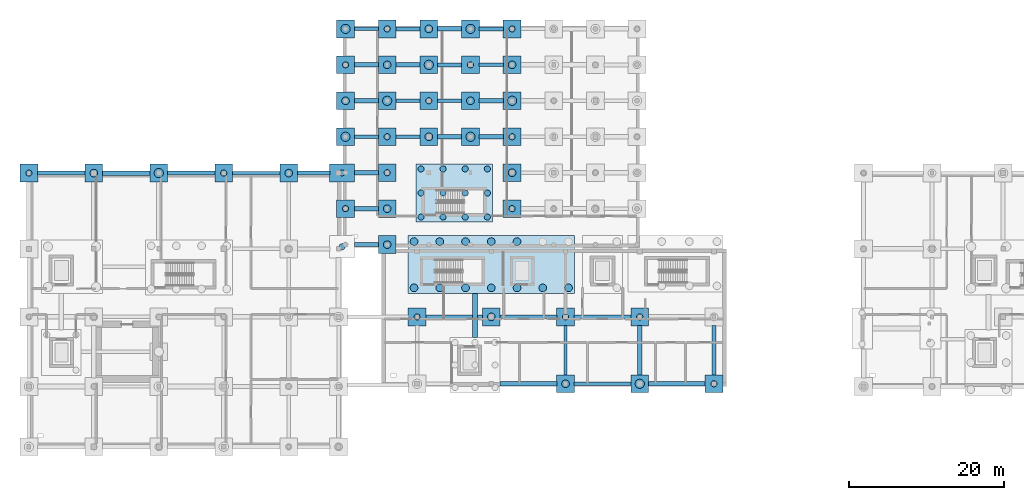
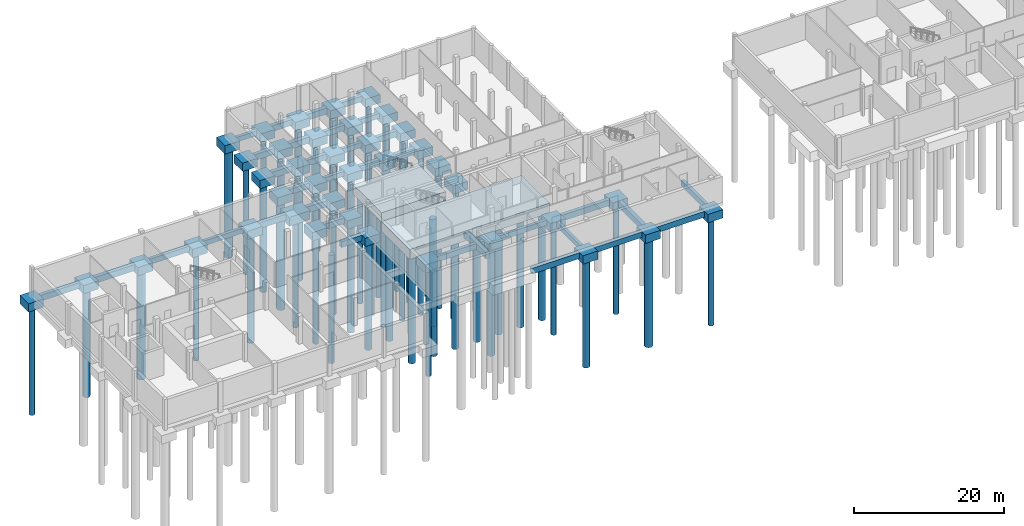
# One storey, part 2 of 14: 75 footings, 64 piles.
"""IFC4 building model written with IfcOpenShell, lengths in metres."""

from ifc_helpers import new_model, si_unit, direction, frame, origin, origin_2d, place, context, subcontext, project, spatial, rectangle, circle, extrude, material, material_profile, profile_set, type_object, element, save


model = new_model("IFC4")

# Units and contexts
model_context = context("Model", 3, precision=1e-05, world=origin(), true_north=direction((0.0, 1.0)))
body_context = subcontext(model_context, "Body", "Model", "MODEL_VIEW")
ifc_project = project(units=[si_unit("LENGTHUNIT", "METRE"), si_unit("AREAUNIT", "SQUARE_METRE"), si_unit("VOLUMEUNIT", "CUBIC_METRE"), si_unit("PLANEANGLEUNIT", "RADIAN"), si_unit("MASSUNIT", "GRAM", prefix="KILO")], contexts=[model_context])

# Site, building, storey
site_placement = place(None, origin())
site = spatial("IfcSite", under=ifc_project, at=site_placement, CompositionType="ELEMENT")
building_placement = place(site_placement, origin())
building = spatial("IfcBuilding", under=site, at=building_placement, Name="Birchvale Park Specialist Clinic", CompositionType="ELEMENT")
storey_placement = place(building_placement, frame((0.0, 0.0, -4.5)))
storey = spatial("IfcBuildingStorey", under=building, at=storey_placement, Name="B1", CompositionType="ELEMENT", Elevation=-4.5)

# Footings
ifc_material = material(Name="Concrete C40/50", Category="concrete")
footing_type_1 = type_object("IfcFootingType", Name="FTB-1", PredefinedType="FOOTING_BEAM", material=ifc_material)
footing_1_placement = place(storey_placement, frame((85.39990234375, 17.14990234375, -1.449951171875), z_axis=(0.0, 0.0, 1.0), x_axis=(1.0, 0.0, 0.0)))
element("IfcFooting", 1, at=footing_1_placement, inside=storey, type_object=footing_type_1, Name="B1 foundation tie beam 37", PredefinedType="FOOTING_BEAM", context=body_context, shape_type="SweptSolid", body=[
    extrude(rectangle(XDim=7.340087890625, YDim=0.5, at=origin_2d()), origin(), (0.0, 0.0, 1.0), 0.89990234375),
])
footing_2_placement = place(storey_placement, frame((99.800048828125, 21.47509765625, -1.449951171875), z_axis=(0.0, 0.0, 1.0), x_axis=(1.0, 0.0, 0.0)))
element("IfcFooting", 2, at=footing_2_placement, inside=storey, type_object=footing_type_1, Name="B1 foundation tie beam 41", PredefinedType="FOOTING_BEAM", context=body_context, shape_type="SweptSolid", body=[
    extrude(rectangle(XDim=0.5, YDim=6.389892578125, at=origin_2d()), origin(), (0.0, 0.0, 1.0), 0.89990234375),
])
footing_3_placement = place(storey_placement, frame((66.199951171875, 25.800048828125, -1.449951171875), z_axis=(0.0, 0.0, 1.0), x_axis=(1.0, 0.0, 0.0)))
element("IfcFooting", 3, at=footing_3_placement, inside=storey, type_object=footing_type_1, Name="B1 foundation tie beam 57", PredefinedType="FOOTING_BEAM", context=body_context, shape_type="SweptSolid", body=[
    extrude(rectangle(XDim=7.340087890625, YDim=0.5, at=origin_2d()), origin(), (0.0, 0.0, 1.0), 0.89990234375),
])
footing_4_placement = place(storey_placement, frame((32.199951171875, 44.39990234375, -1.449951171875), z_axis=(0.0, 0.0, 1.0), x_axis=(1.0, 0.0, 0.0)))
element("IfcFooting", 4, at=footing_4_placement, inside=storey, type_object=footing_type_1, Name="B1 foundation tie beam 89", PredefinedType="FOOTING_BEAM", context=body_context, shape_type="SweptSolid", body=[
    extrude(rectangle(XDim=6.139892578125, YDim=0.5, at=origin_2d()), origin(), (0.0, 0.0, 1.0), 0.89990234375),
])
footing_5_placement = place(storey_placement, frame((54.843017578125, 49.10009765625, -1.449951171875), z_axis=(0.0, 0.0, 1.0), x_axis=(1.0, 0.0, 0.0)))
element("IfcFooting", 5, at=footing_5_placement, inside=storey, type_object=footing_type_1, Name="B1 foundation tie beam 101", PredefinedType="FOOTING_BEAM", context=body_context, shape_type="SweptSolid", body=[
    extrude(rectangle(XDim=3.1259765625, YDim=0.5, at=origin_2d()), origin(), (0.0, 0.0, 1.0), 0.89990234375),
])
footing_6_placement = place(storey_placement, frame((60.228515625, 53.75, -1.449951171875), z_axis=(0.0, 0.0, 1.0), x_axis=(1.0, 0.0, 0.0)))
element("IfcFooting", 6, at=footing_6_placement, inside=storey, type_object=footing_type_1, Name="B1 foundation tie beam 109", PredefinedType="FOOTING_BEAM", context=body_context, shape_type="SweptSolid", body=[
    extrude(rectangle(XDim=3.125, YDim=0.5, at=origin_2d()), origin(), (0.0, 0.0, 1.0), 0.89990234375),
])
for number, where, z_axis, x_axis, name in (
    (7, (65.614013671875, 58.39990234375, -1.449951171875), (0.0, 0.0, 1.0), (1.0, 0.0, 0.0), "B1 foundation tie beam 117"),
    (8, (71.0, 63.050048828125, -1.449951171875), (0.0, 0.0, 1.0), (1.0, 0.0, 0.0), "B1 foundation tie beam 125"),
):
    element("IfcFooting", number, at=place(storey_placement, frame(where, z_axis=z_axis, x_axis=x_axis)), inside=storey, type_object=footing_type_1, Name=name, PredefinedType="FOOTING_BEAM", context=body_context, shape_type="SweptSolid", body=[
        extrude(rectangle(XDim=3.1259765625, YDim=0.5, at=origin_2d()), origin(), (0.0, 0.0, 1.0), 0.89990234375),
    ])
footing_type_2 = type_object("IfcFootingType", Name="FTB-2", PredefinedType="FOOTING_BEAM", material=ifc_material)
footing_7_placement = place(storey_placement, frame((80.60009765625, 21.47509765625, -1.35009765625), z_axis=(0.0, 0.0, 1.0), x_axis=(1.0, 0.0, 0.0)))
element("IfcFooting", 9, at=footing_7_placement, inside=storey, type_object=footing_type_2, Name="B1 foundation tie beam 38", PredefinedType="FOOTING_BEAM", context=body_context, shape_type="SweptSolid", body=[
    extrude(rectangle(XDim=0.449951171875, YDim=6.389892578125, at=origin_2d()), origin(), (0.0, 0.0, 1.0), 0.800048828125),
])
footing_8_placement = place(storey_placement, frame((75.800048828125, 25.800048828125, -1.35009765625), z_axis=(0.0, 0.0, 1.0), x_axis=(1.0, 0.0, 0.0)))
element("IfcFooting", 10, at=footing_8_placement, inside=storey, type_object=footing_type_2, Name="B1 foundation tie beam 58", PredefinedType="FOOTING_BEAM", context=body_context, shape_type="SweptSolid", body=[
    extrude(rectangle(XDim=7.340087890625, YDim=0.449951171875, at=origin_2d()), origin(), (0.0, 0.0, 1.0), 0.800048828125),
])
footing_9_placement = place(storey_placement, frame((40.60009765625, 44.39990234375, -1.35009765625), z_axis=(0.0, 0.0, 1.0), x_axis=(1.0, 0.0, 0.0)))
element("IfcFooting", 11, at=footing_9_placement, inside=storey, type_object=footing_type_2, Name="B1 foundation tie beam 90", PredefinedType="FOOTING_BEAM", context=body_context, shape_type="SweptSolid", body=[
    extrude(rectangle(XDim=6.139892578125, YDim=0.449951171875, at=origin_2d()), origin(), (0.0, 0.0, 1.0), 0.800048828125),
])
footing_10_placement = place(storey_placement, frame((60.228515625, 49.10009765625, -1.35009765625), z_axis=(0.0, 0.0, 1.0), x_axis=(1.0, 0.0, 0.0)))
element("IfcFooting", 12, at=footing_10_placement, inside=storey, type_object=footing_type_2, Name="B1 foundation tie beam 102", PredefinedType="FOOTING_BEAM", context=body_context, shape_type="SweptSolid", body=[
    extrude(rectangle(XDim=3.125, YDim=0.449951171875, at=origin_2d()), origin(), (0.0, 0.0, 1.0), 0.800048828125),
])
for number, where, z_axis, x_axis, name in (
    (13, (65.614013671875, 53.75, -1.35009765625), (0.0, 0.0, 1.0), (1.0, 0.0, 0.0), "B1 foundation tie beam 110"),
    (14, (71.0, 58.39990234375, -1.35009765625), (0.0, 0.0, 1.0), (1.0, 0.0, 0.0), "B1 foundation tie beam 118"),
    (15, (54.843017578125, 63.050048828125, -1.35009765625), (0.0, 0.0, 1.0), (1.0, 0.0, 0.0), "B1 foundation tie beam 122"),
):
    element("IfcFooting", number, at=place(storey_placement, frame(where, z_axis=z_axis, x_axis=x_axis)), inside=storey, type_object=footing_type_2, Name=name, PredefinedType="FOOTING_BEAM", context=body_context, shape_type="SweptSolid", body=[
        extrude(rectangle(XDim=3.1259765625, YDim=0.449951171875, at=origin_2d()), origin(), (0.0, 0.0, 1.0), 0.800048828125),
    ])
footing_type_3 = type_object("IfcFootingType", Name="FTB-3", PredefinedType="FOOTING_BEAM", material=ifc_material)
for number, where, z_axis, x_axis, name in (
    (16, (75.800048828125, 17.14990234375, -1.5), (0.0, 0.0, 1.0), (1.0, 0.0, 0.0), "B1 foundation tie beam 35"),
    (17, (95.0, 17.14990234375, -1.5), (0.0, 0.0, 1.0), (1.0, 0.0, 0.0), "B1 foundation tie beam 39"),
    (18, (85.39990234375, 25.800048828125, -1.5), (0.0, 0.0, 1.0), (1.0, 0.0, 0.0), "B1 foundation tie beam 59"),
):
    element("IfcFooting", number, at=place(storey_placement, frame(where, z_axis=z_axis, x_axis=x_axis)), inside=storey, type_object=footing_type_3, Name=name, PredefinedType="FOOTING_BEAM", context=body_context, shape_type="SweptSolid", body=[
        extrude(rectangle(XDim=7.340087890625, YDim=0.550048828125, at=origin_2d()), origin(), (0.0, 0.0, 1.0), 0.949951171875),
    ])
for number, where, z_axis, x_axis, name in (
    (19, (54.843017578125, 35.14990234375, -1.5), (0.0, 0.0, 1.0), (1.0, 0.0, 0.0), "B1 foundation tie beam 75"),
    (20, (54.843017578125, 39.800048828125, -1.5), (0.0, 0.0, 1.0), (1.0, 0.0, 0.0), "B1 foundation tie beam 83"),
):
    element("IfcFooting", number, at=place(storey_placement, frame(where, z_axis=z_axis, x_axis=x_axis)), inside=storey, type_object=footing_type_3, Name=name, PredefinedType="FOOTING_BEAM", context=body_context, shape_type="SweptSolid", body=[
        extrude(rectangle(XDim=3.1259765625, YDim=0.550048828125, at=origin_2d()), origin(), (0.0, 0.0, 1.0), 0.949951171875),
    ])
footing_11_placement = place(storey_placement, frame((15.39990234375, 44.39990234375, -1.5), z_axis=(0.0, 0.0, 1.0), x_axis=(1.0, 0.0, 0.0)))
element("IfcFooting", 21, at=footing_11_placement, inside=storey, type_object=footing_type_3, Name="B1 foundation tie beam 87", PredefinedType="FOOTING_BEAM", context=body_context, shape_type="SweptSolid", body=[
    extrude(rectangle(XDim=6.139892578125, YDim=0.550048828125, at=origin_2d()), origin(), (0.0, 0.0, 1.0), 0.949951171875),
])
footing_12_placement = place(storey_placement, frame((48.02490234375, 44.39990234375, -1.5), z_axis=(0.0, 0.0, 1.0), x_axis=(1.0, 0.0, 0.0)))
element("IfcFooting", 22, at=footing_12_placement, inside=storey, type_object=footing_type_3, Name="B1 foundation tie beam 91", PredefinedType="FOOTING_BEAM", context=body_context, shape_type="SweptSolid", body=[
    extrude(rectangle(XDim=4.18994140625, YDim=0.550048828125, at=origin_2d()), origin(), (0.0, 0.0, 1.0), 0.949951171875),
])
for number, where, z_axis, x_axis, name in (
    (23, (65.614013671875, 49.10009765625, -1.5), (0.0, 0.0, 1.0), (1.0, 0.0, 0.0), "B1 foundation tie beam 103"),
    (24, (71.0, 53.75, -1.5), (0.0, 0.0, 1.0), (1.0, 0.0, 0.0), "B1 foundation tie beam 111"),
    (25, (54.843017578125, 58.39990234375, -1.5), (0.0, 0.0, 1.0), (1.0, 0.0, 0.0), "B1 foundation tie beam 115"),
):
    element("IfcFooting", number, at=place(storey_placement, frame(where, z_axis=z_axis, x_axis=x_axis)), inside=storey, type_object=footing_type_3, Name=name, PredefinedType="FOOTING_BEAM", context=body_context, shape_type="SweptSolid", body=[
        extrude(rectangle(XDim=3.1259765625, YDim=0.550048828125, at=origin_2d()), origin(), (0.0, 0.0, 1.0), 0.949951171875),
    ])
footing_13_placement = place(storey_placement, frame((60.228515625, 63.050048828125, -1.5), z_axis=(0.0, 0.0, 1.0), x_axis=(1.0, 0.0, 0.0)))
element("IfcFooting", 26, at=footing_13_placement, inside=storey, type_object=footing_type_3, Name="B1 foundation tie beam 123", PredefinedType="FOOTING_BEAM", context=body_context, shape_type="SweptSolid", body=[
    extrude(rectangle(XDim=3.125, YDim=0.550048828125, at=origin_2d()), origin(), (0.0, 0.0, 1.0), 0.949951171875),
])
footing_type_4 = type_object("IfcFootingType", Name="FTB-4", PredefinedType="FOOTING_BEAM", material=ifc_material)
footing_14_placement = place(storey_placement, frame((68.89990234375, 25.97509765625, -1.550048828125), z_axis=(0.0, 0.0, 1.0), x_axis=(1.0, 0.0, 0.0)))
element("IfcFooting", 27, at=footing_14_placement, inside=storey, type_object=footing_type_4, Name="B1 foundation tie beam 36", PredefinedType="FOOTING_BEAM", context=body_context, shape_type="SweptSolid", body=[
    extrude(rectangle(XDim=0.60009765625, YDim=5.68994140625, at=origin_2d()), origin(), (0.0, 0.0, 1.0), 1.0),
])
footing_15_placement = place(storey_placement, frame((90.199951171875, 21.47509765625, -1.550048828125), z_axis=(0.0, 0.0, 1.0), x_axis=(1.0, 0.0, 0.0)))
element("IfcFooting", 28, at=footing_15_placement, inside=storey, type_object=footing_type_4, Name="B1 foundation tie beam 40", PredefinedType="FOOTING_BEAM", context=body_context, shape_type="SweptSolid", body=[
    extrude(rectangle(XDim=0.60009765625, YDim=6.389892578125, at=origin_2d()), origin(), (0.0, 0.0, 1.0), 1.0),
])
footing_16_placement = place(storey_placement, frame((23.800048828125, 44.39990234375, -1.550048828125), z_axis=(0.0, 0.0, 1.0), x_axis=(1.0, 0.0, 0.0)))
element("IfcFooting", 29, at=footing_16_placement, inside=storey, type_object=footing_type_4, Name="B1 foundation tie beam 88", PredefinedType="FOOTING_BEAM", context=body_context, shape_type="SweptSolid", body=[
    extrude(rectangle(XDim=6.139892578125, YDim=0.60009765625, at=origin_2d()), origin(), (0.0, 0.0, 1.0), 1.0),
])
for number, where, z_axis, x_axis, name in (
    (30, (54.843017578125, 44.449951171875, -1.550048828125), (0.0, 0.0, 1.0), (1.0, 0.0, 0.0), "B1 foundation tie beam 92"),
    (31, (71.0, 49.10009765625, -1.550048828125), (0.0, 0.0, 1.0), (1.0, 0.0, 0.0), "B1 foundation tie beam 104"),
    (32, (54.843017578125, 53.75, -1.550048828125), (0.0, 0.0, 1.0), (1.0, 0.0, 0.0), "B1 foundation tie beam 108"),
):
    element("IfcFooting", number, at=place(storey_placement, frame(where, z_axis=z_axis, x_axis=x_axis)), inside=storey, type_object=footing_type_4, Name=name, PredefinedType="FOOTING_BEAM", context=body_context, shape_type="SweptSolid", body=[
        extrude(rectangle(XDim=3.1259765625, YDim=0.60009765625, at=origin_2d()), origin(), (0.0, 0.0, 1.0), 1.0),
    ])
footing_17_placement = place(storey_placement, frame((60.228515625, 58.39990234375, -1.550048828125), z_axis=(0.0, 0.0, 1.0), x_axis=(1.0, 0.0, 0.0)))
element("IfcFooting", 33, at=footing_17_placement, inside=storey, type_object=footing_type_4, Name="B1 foundation tie beam 116", PredefinedType="FOOTING_BEAM", context=body_context, shape_type="SweptSolid", body=[
    extrude(rectangle(XDim=3.125, YDim=0.60009765625, at=origin_2d()), origin(), (0.0, 0.0, 1.0), 1.0),
])
footing_18_placement = place(storey_placement, frame((65.614013671875, 63.050048828125, -1.550048828125), z_axis=(0.0, 0.0, 1.0), x_axis=(1.0, 0.0, 0.0)))
element("IfcFooting", 34, at=footing_18_placement, inside=storey, type_object=footing_type_4, Name="B1 foundation tie beam 124", PredefinedType="FOOTING_BEAM", context=body_context, shape_type="SweptSolid", body=[
    extrude(rectangle(XDim=3.1259765625, YDim=0.60009765625, at=origin_2d()), origin(), (0.0, 0.0, 1.0), 1.0),
])
footing_type_5 = type_object("IfcFootingType", Name="FTG-PC-01", PredefinedType="PILE_CAP", material=ifc_material)
for number, where, z_axis, x_axis, name in (
    (35, (80.60009765625, 17.14990234375, -1.900146484375), (0.0, 0.0, 1.0), (1.0, 0.0, 0.0), "B1 pile cap 21"),
    (36, (90.199951171875, 17.14990234375, -1.900146484375), (0.0, 0.0, 1.0), (1.0, 0.0, 0.0), "B1 pile cap 22"),
    (37, (99.800048828125, 17.14990234375, -1.900146484375), (0.0, 0.0, 1.0), (1.0, 0.0, 0.0), "B1 pile cap 23"),
    (38, (61.39990234375, 25.800048828125, -1.900146484375), (0.0, 0.0, 1.0), (1.0, 0.0, 0.0), "B1 pile cap 35"),
    (39, (71.0, 25.800048828125, -1.900146484375), (0.0, 0.0, 1.0), (1.0, 0.0, 0.0), "B1 pile cap 36"),
    (40, (90.199951171875, 25.800048828125, -1.900146484375), (0.0, 0.0, 1.0), (1.0, 0.0, 0.0), "B1 pile cap 38"),
    (41, (57.535888671875, 35.14990234375, -1.900146484375), (0.0, 0.0, 1.0), (1.0, 0.0, 0.0), "B1 pile cap 57"),
    (42, (52.14990234375, 39.800048828125, -1.900146484375), (0.0, 0.0, 1.0), (1.0, 0.0, 0.0), "B1 pile cap 59"),
    (43, (57.535888671875, 39.800048828125, -1.900146484375), (0.0, 0.0, 1.0), (1.0, 0.0, 0.0), "B1 pile cap 60"),
    (44, (73.693115234375, 39.800048828125, -1.900146484375), (0.0, 0.0, 1.0), (1.0, 0.0, 0.0), "B1 pile cap 61"),
    (45, (11.199951171875, 44.39990234375, -1.900146484375), (0.0, 0.0, 1.0), (1.0, 0.0, 0.0), "B1 pile cap 65"),
    (46, (19.60009765625, 44.39990234375, -1.900146484375), (0.0, 0.0, 1.0), (1.0, 0.0, 0.0), "B1 pile cap 66"),
    (47, (28.0, 44.39990234375, -1.900146484375), (0.0, 0.0, 1.0), (1.0, 0.0, 0.0), "B1 pile cap 67"),
    (48, (36.39990234375, 44.39990234375, -1.900146484375), (0.0, 0.0, 1.0), (1.0, 0.0, 0.0), "B1 pile cap 68"),
    (49, (44.800048828125, 44.39990234375, -1.900146484375), (0.0, 0.0, 1.0), (1.0, 0.0, 0.0), "B1 pile cap 69"),
    (50, (57.535888671875, 44.449951171875, -1.900146484375), (0.0, 0.0, 1.0), (1.0, 0.0, 0.0), "B1 pile cap 77"),
    (51, (73.693115234375, 44.449951171875, -1.900146484375), (0.0, 0.0, 1.0), (1.0, 0.0, 0.0), "B1 pile cap 78"),
    (52, (52.14990234375, 49.10009765625, -1.900146484375), (0.0, 0.0, 1.0), (1.0, 0.0, 0.0), "B1 pile cap 82"),
    (53, (57.535888671875, 49.10009765625, -1.900146484375), (0.0, 0.0, 1.0), (1.0, 0.0, 0.0), "B1 pile cap 83"),
    (54, (62.9208984375, 49.10009765625, -1.900146484375), (0.0, 0.0, 1.0), (1.0, 0.0, 0.0), "B1 pile cap 84"),
    (55, (68.306884765625, 49.10009765625, -1.900146484375), (0.0, 0.0, 1.0), (1.0, 0.0, 0.0), "B1 pile cap 85"),
    (56, (73.693115234375, 49.10009765625, -1.900146484375), (0.0, 0.0, 1.0), (1.0, 0.0, 0.0), "B1 pile cap 86"),
    (57, (52.14990234375, 53.75, -1.900146484375), (0.0, 0.0, 1.0), (1.0, 0.0, 0.0), "B1 pile cap 90"),
    (58, (57.535888671875, 53.75, -1.900146484375), (0.0, 0.0, 1.0), (1.0, 0.0, 0.0), "B1 pile cap 91"),
    (59, (62.9208984375, 53.75, -1.900146484375), (0.0, 0.0, 1.0), (1.0, 0.0, 0.0), "B1 pile cap 92"),
    (60, (68.306884765625, 53.75, -1.900146484375), (0.0, 0.0, 1.0), (1.0, 0.0, 0.0), "B1 pile cap 93"),
    (61, (73.693115234375, 53.75, -1.900146484375), (0.0, 0.0, 1.0), (1.0, 0.0, 0.0), "B1 pile cap 94"),
    (62, (52.14990234375, 58.39990234375, -1.900146484375), (0.0, 0.0, 1.0), (1.0, 0.0, 0.0), "B1 pile cap 98"),
    (63, (57.535888671875, 58.39990234375, -1.900146484375), (0.0, 0.0, 1.0), (1.0, 0.0, 0.0), "B1 pile cap 99"),
    (64, (62.9208984375, 58.39990234375, -1.900146484375), (0.0, 0.0, 1.0), (1.0, 0.0, 0.0), "B1 pile cap 100"),
    (65, (68.306884765625, 58.39990234375, -1.900146484375), (0.0, 0.0, 1.0), (1.0, 0.0, 0.0), "B1 pile cap 101"),
    (66, (73.693115234375, 58.39990234375, -1.900146484375), (0.0, 0.0, 1.0), (1.0, 0.0, 0.0), "B1 pile cap 102"),
    (67, (52.14990234375, 63.050048828125, -1.900146484375), (0.0, 0.0, 1.0), (1.0, 0.0, 0.0), "B1 pile cap 106"),
    (68, (57.535888671875, 63.050048828125, -1.900146484375), (0.0, 0.0, 1.0), (1.0, 0.0, 0.0), "B1 pile cap 107"),
    (69, (62.9208984375, 63.050048828125, -1.900146484375), (0.0, 0.0, 1.0), (1.0, 0.0, 0.0), "B1 pile cap 108"),
    (70, (68.306884765625, 63.050048828125, -1.900146484375), (0.0, 0.0, 1.0), (1.0, 0.0, 0.0), "B1 pile cap 109"),
    (71, (73.693115234375, 63.050048828125, -1.900146484375), (0.0, 0.0, 1.0), (1.0, 0.0, 0.0), "B1 pile cap 110"),
):
    element("IfcFooting", number, at=place(storey_placement, frame(where, z_axis=z_axis, x_axis=x_axis)), inside=storey, type_object=footing_type_5, Name=name, PredefinedType="PILE_CAP", context=body_context, shape_type="SweptSolid", body=[
        extrude(rectangle(XDim=2.300048828125, YDim=2.300048828125, at=origin_2d()), origin(), (0.0, 0.0, 1.0), 1.35009765625),
    ])
footing_type_6 = type_object("IfcFootingType", Name="FTG-PC-02", PredefinedType="PILE_CAP", material=ifc_material)
footing_19_placement = place(storey_placement, frame((80.60009765625, 25.800048828125, -2.0), z_axis=(0.0, 0.0, 1.0), x_axis=(1.0, 0.0, 0.0)))
element("IfcFooting", 72, at=footing_19_placement, inside=storey, type_object=footing_type_6, Name="B1 pile cap 37", PredefinedType="PILE_CAP", context=body_context, shape_type="SweptSolid", body=[
    extrude(rectangle(XDim=2.300048828125, YDim=2.300048828125, at=origin_2d()), origin(), (0.0, 0.0, 1.0), 1.449951171875),
])
footing_type_7 = type_object("IfcFootingType", Name="FTG-PC-11", PredefinedType="PILE_CAP", material=ifc_material)
footing_20_placement = place(storey_placement, frame((71.0, 32.550048828125, -2.150146484375), z_axis=(0.0, 0.0, 1.0), x_axis=(1.0, 0.0, 0.0)))
element("IfcFooting", 73, at=footing_20_placement, inside=storey, type_object=footing_type_7, Name="B1 pile cap 47", PredefinedType="PILE_CAP", context=body_context, shape_type="SweptSolid", body=[
    extrude(rectangle(XDim=21.5, YDim=7.5, at=origin_2d()), origin(), (0.0, 0.0, 1.0), 1.60009765625),
])
footing_type_8 = type_object("IfcFootingType", Name="FTG-PC-15", PredefinedType="PILE_CAP", material=ifc_material)
footing_21_placement = place(storey_placement, frame((66.199951171875, 41.824951171875, -2.150146484375), z_axis=(0.0, 0.0, 1.0), x_axis=(1.0, 0.0, 0.0)))
element("IfcFooting", 74, at=footing_21_placement, inside=storey, type_object=footing_type_8, Name="B1 pile cap 58", PredefinedType="PILE_CAP", context=body_context, shape_type="SweptSolid", body=[
    extrude(rectangle(XDim=9.89990234375, YDim=7.550048828125, at=origin_2d()), origin(), (0.0, 0.0, 1.0), 1.60009765625),
])
footing_type_9 = type_object("IfcFootingType", Name="FTG-PC-16", PredefinedType="PILE_CAP", material=ifc_material)
footing_22_placement = place(storey_placement, frame((51.699951171875, 44.425048828125, -2.0), z_axis=(0.0, 0.0, 1.0), x_axis=(1.0, 0.0, 0.0)))
element("IfcFooting", 75, at=footing_22_placement, inside=storey, type_object=footing_type_9, Name="B1 pile cap 70", PredefinedType="PILE_CAP", context=body_context, shape_type="SweptSolid", body=[
    extrude(rectangle(XDim=3.199951171875, YDim=2.35009765625, at=origin_2d()), origin(), (0.0, 0.0, 1.0), 1.449951171875),
])

# Piles
ifc_material_profile_1 = material_profile(ifc_material, circle(Radius=0.39990234375, at=origin_2d()), Name="PILE-800")
ifc_profile_set_1 = profile_set([ifc_material_profile_1], Name="Concrete C40/50")
pile_type_1 = type_object("IfcPileType", Name="PILE-P1", PredefinedType="BORED", material=ifc_profile_set_1)
for number, where, z_axis, x_axis, name in (
    (76, (99.800048828125, 17.14990234375, -1.800048828125), (0.0, 0.0, -1.0), (1.0, 0.0, 0.0), "B1 bored pile 36 (P1)"),
    (77, (61.39990234375, 25.800048828125, -1.800048828125), (0.0, 0.0, -1.0), (1.0, 0.0, 0.0), "B1 bored pile 52 (P1)"),
):
    element("IfcPile", number, at=place(storey_placement, frame(where, z_axis=z_axis, x_axis=x_axis)), inside=storey, type_object=pile_type_1, Name=name, PredefinedType="BORED", context=body_context, shape_type="SweptSolid", body=[
        extrude(circle(Radius=0.39990234375, at=origin_2d()), origin(), (0.0, 0.0, 1.0), 17.699951171875),
    ])
pile_1_placement = place(storey_placement, frame((80.60009765625, 25.800048828125, -1.89990234375), z_axis=(0.0, 0.0, -1.0), x_axis=(1.0, 0.0, 0.0)))
element("IfcPile", 78, at=pile_1_placement, inside=storey, type_object=pile_type_1, Name="B1 bored pile 54 (P1)", PredefinedType="BORED", context=body_context, shape_type="SweptSolid", body=[
    extrude(circle(Radius=0.39990234375, at=origin_2d()), origin(), (0.0, 0.0, 1.0), 17.60009765625),
])
pile_2_placement = place(storey_placement, frame((90.199951171875, 25.800048828125, -1.800048828125), z_axis=(0.0, 0.0, -1.0), x_axis=(1.0, 0.0, 0.0)))
element("IfcPile", 79, at=pile_2_placement, inside=storey, type_object=pile_type_1, Name="B1 bored pile 55 (P1)", PredefinedType="BORED", context=body_context, shape_type="SweptSolid", body=[
    extrude(circle(Radius=0.39990234375, at=origin_2d()), origin(), (0.0, 0.0, 1.0), 17.699951171875),
])
pile_3_placement = place(storey_placement, frame((51.699951171875, 34.875, -1.89990234375), z_axis=(0.0, 0.0, -1.0), x_axis=(1.0, 0.0, 0.0)))
element("IfcPile", 80, at=pile_3_placement, inside=storey, type_object=pile_type_1, Name="B1 bored pile 103 (P1)", PredefinedType="BORED", context=body_context, shape_type="SweptSolid", body=[
    extrude(circle(Radius=0.39990234375, at=origin_2d()), origin(), (0.0, 0.0, 1.0), 17.60009765625),
])
for number, where, z_axis, x_axis, name in (
    (81, (61.909912109375, 38.7099609375, -2.050048828125), (0.0, 0.0, -1.0), (1.0, 0.0, 0.0), "B1 bored pile 109 (P1)"),
    (82, (61.909912109375, 41.824951171875, -2.050048828125), (0.0, 0.0, -1.0), (1.0, 0.0, 0.0), "B1 bored pile 110 (P1)"),
    (83, (61.909912109375, 44.93994140625, -2.050048828125), (0.0, 0.0, -1.0), (1.0, 0.0, 0.0), "B1 bored pile 111 (P1)"),
    (84, (64.77001953125, 38.7099609375, -2.050048828125), (0.0, 0.0, -1.0), (1.0, 0.0, 0.0), "B1 bored pile 112 (P1)"),
    (85, (64.77001953125, 41.824951171875, -2.050048828125), (0.0, 0.0, -1.0), (1.0, 0.0, 0.0), "B1 bored pile 113 (P1)"),
    (86, (64.77001953125, 44.93994140625, -2.050048828125), (0.0, 0.0, -1.0), (1.0, 0.0, 0.0), "B1 bored pile 114 (P1)"),
    (87, (67.6298828125, 38.7099609375, -2.050048828125), (0.0, 0.0, -1.0), (1.0, 0.0, 0.0), "B1 bored pile 115 (P1)"),
    (88, (67.6298828125, 41.824951171875, -2.050048828125), (0.0, 0.0, -1.0), (1.0, 0.0, 0.0), "B1 bored pile 116 (P1)"),
    (89, (67.6298828125, 44.93994140625, -2.050048828125), (0.0, 0.0, -1.0), (1.0, 0.0, 0.0), "B1 bored pile 117 (P1)"),
    (90, (70.489990234375, 38.7099609375, -2.050048828125), (0.0, 0.0, -1.0), (1.0, 0.0, 0.0), "B1 bored pile 118 (P1)"),
    (91, (70.489990234375, 41.824951171875, -2.050048828125), (0.0, 0.0, -1.0), (1.0, 0.0, 0.0), "B1 bored pile 119 (P1)"),
    (92, (70.489990234375, 44.93994140625, -2.050048828125), (0.0, 0.0, -1.0), (1.0, 0.0, 0.0), "B1 bored pile 120 (P1)"),
):
    element("IfcPile", number, at=place(storey_placement, frame(where, z_axis=z_axis, x_axis=x_axis)), inside=storey, type_object=pile_type_1, Name=name, PredefinedType="BORED", context=body_context, shape_type="SweptSolid", body=[
        extrude(circle(Radius=0.39990234375, at=origin_2d()), origin(), (0.0, 0.0, 1.0), 17.449951171875),
    ])
for number, where, z_axis, x_axis, name in (
    (93, (52.14990234375, 39.800048828125, -1.800048828125), (0.0, 0.0, -1.0), (1.0, 0.0, 0.0), "B1 bored pile 121 (P1)"),
    (94, (73.693115234375, 39.800048828125, -1.800048828125), (0.0, 0.0, -1.0), (1.0, 0.0, 0.0), "B1 bored pile 123 (P1)"),
    (95, (11.199951171875, 44.39990234375, -1.800048828125), (0.0, 0.0, -1.0), (1.0, 0.0, 0.0), "B1 bored pile 127 (P1)"),
    (96, (36.39990234375, 44.39990234375, -1.800048828125), (0.0, 0.0, -1.0), (1.0, 0.0, 0.0), "B1 bored pile 130 (P1)"),
):
    element("IfcPile", number, at=place(storey_placement, frame(where, z_axis=z_axis, x_axis=x_axis)), inside=storey, type_object=pile_type_1, Name=name, PredefinedType="BORED", context=body_context, shape_type="SweptSolid", body=[
        extrude(circle(Radius=0.39990234375, at=origin_2d()), origin(), (0.0, 0.0, 1.0), 17.699951171875),
    ])
pile_4_placement = place(storey_placement, frame((51.699951171875, 44.425048828125, -1.89990234375), z_axis=(0.0, 0.0, -1.0), x_axis=(1.0, 0.0, 0.0)))
element("IfcPile", 97, at=pile_4_placement, inside=storey, type_object=pile_type_1, Name="B1 bored pile 132 (P1)", PredefinedType="BORED", context=body_context, shape_type="SweptSolid", body=[
    extrude(circle(Radius=0.39990234375, at=origin_2d()), origin(), (0.0, 0.0, 1.0), 17.60009765625),
])
for number, where, z_axis, x_axis, name in (
    (98, (57.535888671875, 44.449951171875, -1.800048828125), (0.0, 0.0, -1.0), (1.0, 0.0, 0.0), "B1 bored pile 139 (P1)"),
    (99, (57.535888671875, 49.10009765625, -1.800048828125), (0.0, 0.0, -1.0), (1.0, 0.0, 0.0), "B1 bored pile 145 (P1)"),
    (100, (73.693115234375, 49.10009765625, -1.800048828125), (0.0, 0.0, -1.0), (1.0, 0.0, 0.0), "B1 bored pile 148 (P1)"),
    (101, (62.9208984375, 53.75, -1.800048828125), (0.0, 0.0, -1.0), (1.0, 0.0, 0.0), "B1 bored pile 154 (P1)"),
    (102, (52.14990234375, 58.39990234375, -1.800048828125), (0.0, 0.0, -1.0), (1.0, 0.0, 0.0), "B1 bored pile 160 (P1)"),
    (103, (68.306884765625, 58.39990234375, -1.800048828125), (0.0, 0.0, -1.0), (1.0, 0.0, 0.0), "B1 bored pile 163 (P1)"),
    (104, (57.535888671875, 63.050048828125, -1.800048828125), (0.0, 0.0, -1.0), (1.0, 0.0, 0.0), "B1 bored pile 169 (P1)"),
    (105, (73.693115234375, 63.050048828125, -1.800048828125), (0.0, 0.0, -1.0), (1.0, 0.0, 0.0), "B1 bored pile 172 (P1)"),
):
    element("IfcPile", number, at=place(storey_placement, frame(where, z_axis=z_axis, x_axis=x_axis)), inside=storey, type_object=pile_type_1, Name=name, PredefinedType="BORED", context=body_context, shape_type="SweptSolid", body=[
        extrude(circle(Radius=0.39990234375, at=origin_2d()), origin(), (0.0, 0.0, 1.0), 17.699951171875),
    ])
ifc_material_profile_2 = material_profile(ifc_material, circle(Radius=0.5, at=origin_2d()), Name="PILE-1000")
ifc_profile_set_2 = profile_set([ifc_material_profile_2], Name="Concrete C40/50")
pile_type_2 = type_object("IfcPileType", Name="PILE-P2", PredefinedType="BORED", material=ifc_profile_set_2)
for number, where, z_axis, x_axis, name in (
    (106, (80.60009765625, 17.14990234375, -1.800048828125), (0.0, 0.0, -1.0), (1.0, 0.0, 0.0), "B1 bored pile 34 (P2)"),
    (107, (71.0, 25.800048828125, -1.800048828125), (0.0, 0.0, -1.0), (1.0, 0.0, 0.0), "B1 bored pile 53 (P2)"),
):
    element("IfcPile", number, at=place(storey_placement, frame(where, z_axis=z_axis, x_axis=x_axis)), inside=storey, type_object=pile_type_2, Name=name, PredefinedType="BORED", context=body_context, shape_type="SweptSolid", body=[
        extrude(circle(Radius=0.5, at=origin_2d()), origin(), (0.0, 0.0, 1.0), 17.699951171875),
    ])
for number, where, z_axis, x_axis, name in (
    (108, (61.010009765625, 29.56005859375, -2.050048828125), (0.0, 0.0, -1.0), (1.0, 0.0, 0.0), "B1 bored pile 80 (P2)"),
    (109, (61.010009765625, 35.5400390625, -2.050048828125), (0.0, 0.0, -1.0), (1.0, 0.0, 0.0), "B1 bored pile 81 (P2)"),
    (110, (64.340087890625, 29.56005859375, -2.050048828125), (0.0, 0.0, -1.0), (1.0, 0.0, 0.0), "B1 bored pile 82 (P2)"),
    (111, (64.340087890625, 35.5400390625, -2.050048828125), (0.0, 0.0, -1.0), (1.0, 0.0, 0.0), "B1 bored pile 83 (P2)"),
    (112, (67.669921875, 29.56005859375, -2.050048828125), (0.0, 0.0, -1.0), (1.0, 0.0, 0.0), "B1 bored pile 84 (P2)"),
    (113, (67.669921875, 35.5400390625, -2.050048828125), (0.0, 0.0, -1.0), (1.0, 0.0, 0.0), "B1 bored pile 85 (P2)"),
    (114, (71.0, 29.56005859375, -2.050048828125), (0.0, 0.0, -1.0), (1.0, 0.0, 0.0), "B1 bored pile 86 (P2)"),
    (115, (71.0, 35.5400390625, -2.050048828125), (0.0, 0.0, -1.0), (1.0, 0.0, 0.0), "B1 bored pile 87 (P2)"),
    (116, (74.330078125, 29.56005859375, -2.050048828125), (0.0, 0.0, -1.0), (1.0, 0.0, 0.0), "B1 bored pile 88 (P2)"),
    (117, (74.330078125, 35.5400390625, -2.050048828125), (0.0, 0.0, -1.0), (1.0, 0.0, 0.0), "B1 bored pile 89 (P2)"),
    (118, (77.659912109375, 29.56005859375, -2.050048828125), (0.0, 0.0, -1.0), (1.0, 0.0, 0.0), "B1 bored pile 90 (P2)"),
    (119, (80.989990234375, 29.56005859375, -2.050048828125), (0.0, 0.0, -1.0), (1.0, 0.0, 0.0), "B1 bored pile 92 (P2)"),
):
    element("IfcPile", number, at=place(storey_placement, frame(where, z_axis=z_axis, x_axis=x_axis)), inside=storey, type_object=pile_type_2, Name=name, PredefinedType="BORED", context=body_context, shape_type="SweptSolid", body=[
        extrude(circle(Radius=0.5, at=origin_2d()), origin(), (0.0, 0.0, 1.0), 17.449951171875),
    ])
for number, where, z_axis, x_axis, name in (
    (120, (57.535888671875, 35.14990234375, -1.800048828125), (0.0, 0.0, -1.0), (1.0, 0.0, 0.0), "B1 bored pile 108 (P2)"),
    (121, (57.535888671875, 39.800048828125, -1.800048828125), (0.0, 0.0, -1.0), (1.0, 0.0, 0.0), "B1 bored pile 122 (P2)"),
    (122, (19.60009765625, 44.39990234375, -1.800048828125), (0.0, 0.0, -1.0), (1.0, 0.0, 0.0), "B1 bored pile 128 (P2)"),
    (123, (44.800048828125, 44.39990234375, -1.800048828125), (0.0, 0.0, -1.0), (1.0, 0.0, 0.0), "B1 bored pile 131 (P2)"),
    (124, (73.693115234375, 44.449951171875, -1.800048828125), (0.0, 0.0, -1.0), (1.0, 0.0, 0.0), "B1 bored pile 140 (P2)"),
    (125, (62.9208984375, 49.10009765625, -1.800048828125), (0.0, 0.0, -1.0), (1.0, 0.0, 0.0), "B1 bored pile 146 (P2)"),
    (126, (52.14990234375, 53.75, -1.800048828125), (0.0, 0.0, -1.0), (1.0, 0.0, 0.0), "B1 bored pile 152 (P2)"),
    (127, (68.306884765625, 53.75, -1.800048828125), (0.0, 0.0, -1.0), (1.0, 0.0, 0.0), "B1 bored pile 155 (P2)"),
    (128, (57.535888671875, 58.39990234375, -1.800048828125), (0.0, 0.0, -1.0), (1.0, 0.0, 0.0), "B1 bored pile 161 (P2)"),
    (129, (73.693115234375, 58.39990234375, -1.800048828125), (0.0, 0.0, -1.0), (1.0, 0.0, 0.0), "B1 bored pile 164 (P2)"),
    (130, (62.9208984375, 63.050048828125, -1.800048828125), (0.0, 0.0, -1.0), (1.0, 0.0, 0.0), "B1 bored pile 170 (P2)"),
):
    element("IfcPile", number, at=place(storey_placement, frame(where, z_axis=z_axis, x_axis=x_axis)), inside=storey, type_object=pile_type_2, Name=name, PredefinedType="BORED", context=body_context, shape_type="SweptSolid", body=[
        extrude(circle(Radius=0.5, at=origin_2d()), origin(), (0.0, 0.0, 1.0), 17.699951171875),
    ])
ifc_material_profile_3 = material_profile(ifc_material, circle(Radius=0.60009765625, at=origin_2d()), Name="PILE-1200")
ifc_profile_set_3 = profile_set([ifc_material_profile_3], Name="Concrete C40/50")
pile_type_3 = type_object("IfcPileType", Name="PILE-P3", PredefinedType="BORED", material=ifc_profile_set_3)
for number, where, z_axis, x_axis, name in (
    (131, (90.199951171875, 17.14990234375, -1.800048828125), (0.0, 0.0, -1.0), (1.0, 0.0, 0.0), "B1 bored pile 35 (P3)"),
    (132, (28.0, 44.39990234375, -1.800048828125), (0.0, 0.0, -1.0), (1.0, 0.0, 0.0), "B1 bored pile 129 (P3)"),
    (133, (52.14990234375, 49.10009765625, -1.800048828125), (0.0, 0.0, -1.0), (1.0, 0.0, 0.0), "B1 bored pile 144 (P3)"),
    (134, (68.306884765625, 49.10009765625, -1.800048828125), (0.0, 0.0, -1.0), (1.0, 0.0, 0.0), "B1 bored pile 147 (P3)"),
    (135, (57.535888671875, 53.75, -1.800048828125), (0.0, 0.0, -1.0), (1.0, 0.0, 0.0), "B1 bored pile 153 (P3)"),
    (136, (73.693115234375, 53.75, -1.800048828125), (0.0, 0.0, -1.0), (1.0, 0.0, 0.0), "B1 bored pile 156 (P3)"),
    (137, (62.9208984375, 58.39990234375, -1.800048828125), (0.0, 0.0, -1.0), (1.0, 0.0, 0.0), "B1 bored pile 162 (P3)"),
    (138, (52.14990234375, 63.050048828125, -1.800048828125), (0.0, 0.0, -1.0), (1.0, 0.0, 0.0), "B1 bored pile 168 (P3)"),
    (139, (68.306884765625, 63.050048828125, -1.800048828125), (0.0, 0.0, -1.0), (1.0, 0.0, 0.0), "B1 bored pile 171 (P3)"),
):
    element("IfcPile", number, at=place(storey_placement, frame(where, z_axis=z_axis, x_axis=x_axis)), inside=storey, type_object=pile_type_3, Name=name, PredefinedType="BORED", context=body_context, shape_type="SweptSolid", body=[
        extrude(circle(Radius=0.60009765625, at=origin_2d()), origin(), (0.0, 0.0, 1.0), 17.699951171875),
    ])

save(model, "model.ifc")
